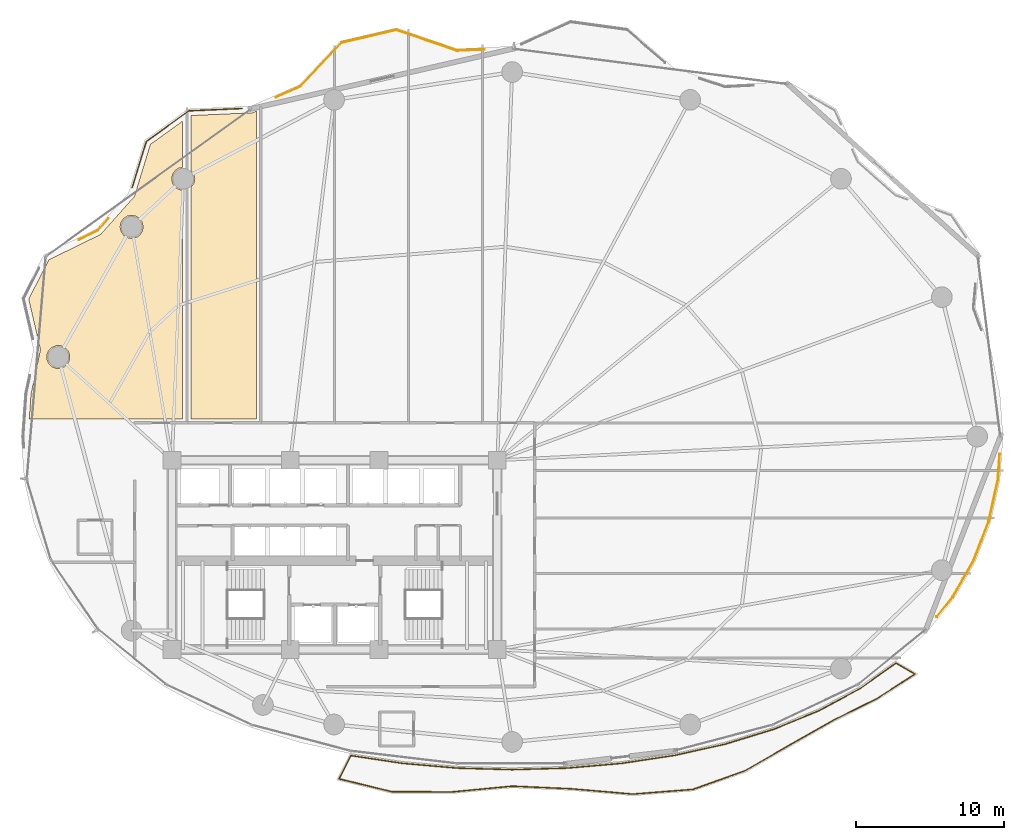
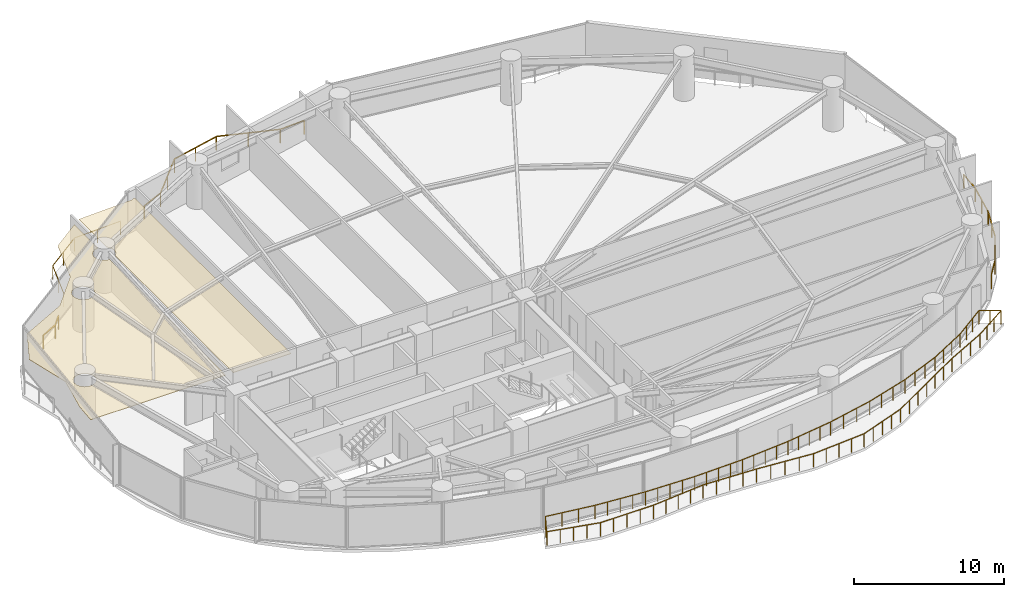
# One storey, part 29 of 30: 5 railings, 2 coverings.
"""IFC4 building model written with IfcOpenShell, lengths in metres."""

from ifc_helpers import new_model, si_unit, direction, frame, origin, origin_2d, place, context, subcontext, project, spatial, polyline, rectangle, outline, extrude, material, layer, layer_set, type_object, element, save


model = new_model("IFC4")

# Units and contexts
model_context = context("Model", 3, precision=1e-05, world=origin(), true_north=direction((0.0, 1.0)))
body_context = subcontext(model_context, "Body", "Model", "MODEL_VIEW")
ifc_project = project(units=[si_unit("LENGTHUNIT", "METRE"), si_unit("AREAUNIT", "SQUARE_METRE"), si_unit("VOLUMEUNIT", "CUBIC_METRE"), si_unit("PLANEANGLEUNIT", "RADIAN"), si_unit("MASSUNIT", "GRAM", prefix="KILO")], contexts=[model_context])

# Site, building, storey
site_placement = place(None, origin())
site = spatial("IfcSite", under=ifc_project, at=site_placement, CompositionType="ELEMENT")
building_placement = place(site_placement, origin())
building = spatial("IfcBuilding", under=site, at=building_placement, Name="Kazevale Care Tower and Concert Hall", CompositionType="ELEMENT")
storey_placement = place(building_placement, frame((0.0, 0.0, 74.39990234375)))
storey = spatial("IfcBuildingStorey", under=building, at=storey_placement, Name="L19", CompositionType="ELEMENT", Elevation=74.39990234375)

# Coverings
ifc_material_1 = material(Name="Acoustic Plaster and Hinoki Wood", Category="wood")
ifc_layer = layer(ifc_material_1, 0.0400390625)
ifc_layer_set = layer_set([ifc_layer], Name="Acoustic Plaster and Hinoki Wood")
covering_type = type_object("IfcCoveringType", Name="Acoustic Perforated Wood-Gypsum Ceiling", PredefinedType="CEILING", material=ifc_layer_set)
covering_1_placement = place(storey_placement, frame((0.0, 0.0, 2.710205078125)))
element("IfcCovering", 1, at=covering_1_placement, inside=storey, type_object=covering_type, Name="clg:L19:1", PredefinedType="CEILING", context=body_context, shape_type="SweptSolid", body=[
    extrude(outline(polyline([(12.30908203125, 47.302978515625), (13.669921875, 49.955078125), (17.172119140625, 51.672119140625), (19.452880859375, 54.22900390625), (20.5400390625, 57.763916015625), (22.719970703125, 59.3349609375), (22.719970703125, 56.2060546875), (22.4619140625, 56.15087890625), (22.2080078125, 55.98193359375), (22.0390625, 55.72802734375), (21.97998046875, 55.429931640625), (22.0390625, 55.132080078125), (22.2080078125, 54.8779296875), (22.4619140625, 54.708984375), (22.719970703125, 54.654052734375), (22.719970703125, 39.205078125), (12.345947265625, 39.205078125), (12.465087890625, 40.89111328125), (13.10400390625, 43.87890625), (12.30908203125, 47.302978515625)]), holes=[polyline([(19.990966796875, 52.47802734375), (19.822021484375, 52.73193359375), (19.568115234375, 52.90087890625), (19.27001953125, 52.9599609375), (18.971923828125, 52.90087890625), (18.718017578125, 52.73193359375), (18.549072265625, 52.47802734375), (18.489990234375, 52.179931640625), (18.549072265625, 51.882080078125), (18.718017578125, 51.6279296875), (18.971923828125, 51.458984375), (19.27001953125, 51.39990234375), (19.568115234375, 51.458984375), (19.822021484375, 51.6279296875), (19.990966796875, 51.882080078125), (20.050048828125, 52.179931640625), (19.990966796875, 52.47802734375)]), polyline([(15.074951171875, 43.531982421875), (14.958984375, 43.81298828125), (14.742919921875, 44.029052734375), (14.4619140625, 44.14501953125), (14.157958984375, 44.14501953125), (13.876953125, 44.029052734375), (13.660888671875, 43.81298828125), (13.544921875, 43.531982421875), (13.544921875, 43.22802734375), (13.660888671875, 42.947021484375), (13.876953125, 42.73095703125), (14.157958984375, 42.614990234375), (14.4619140625, 42.614990234375), (14.742919921875, 42.73095703125), (14.958984375, 42.947021484375), (15.074951171875, 43.22802734375), (15.074951171875, 43.531982421875)])]), origin(), (0.0, 0.0, 1.0), 0.039794921875),
])
covering_2_placement = place(storey_placement, frame((0.0, 0.0, 2.710205078125)))
element("IfcCovering", 2, at=covering_2_placement, inside=storey, type_object=covering_type, Name="clg:L19:2", PredefinedType="CEILING", context=body_context, shape_type="SweptSolid", body=[
    extrude(outline(polyline([(27.443115234375, 59.89794921875), (27.719970703125, 60.02001953125), (27.719970703125, 39.205078125), (23.280029296875, 39.205078125), (23.280029296875, 54.85302734375), (23.48095703125, 55.132080078125), (23.5400390625, 55.429931640625), (23.48095703125, 55.72802734375), (23.280029296875, 56.007080078125), (23.280029296875, 59.712890625), (27.443115234375, 59.89794921875)])), origin(), (0.0, 0.0, 1.0), 0.039794921875),
])

# Railings
ifc_material_2 = material(Name="Anodised Bronze Aluminium and Laminated Glass", Category="aluminium")
railing_type = type_object("IfcRailingType", Name="Balcony and Terrace Balustrade 1120", PredefinedType="BALUSTRADE", material=ifc_material_2)
railing_1_placement = place(storey_placement, frame((15.705078125, 51.30908203125, 0.0)))
element("IfcRailing", 3, at=railing_1_placement, inside=storey, type_object=railing_type, Name="rail:L19:perim:3", PredefinedType="BALUSTRADE", context=body_context, shape_type="SweptSolid", body=[
    extrude(rectangle(XDim=0.048095703125, YDim=0.048095703125, at=origin_2d()), frame((0.0, 0.0, 1.09619140625), z_axis=(0.897852496852, 0.440296370525, 0.0), x_axis=(-0.440296370525, 0.897852496852, 0.0)), (0.0, 0.0, 1.0), 1.41455078125),
    extrude(rectangle(XDim=0.048095703125, YDim=0.048095703125, at=origin_2d()), frame((1.27001953125, 0.622802734375, 1.09619140625), z_axis=(0.66593553458, 0.746009292022, 0.0), x_axis=(-0.746009292022, 0.66593553458, 0.0)), (0.0, 0.0, 1.0), 1.08837890625),
    extrude(rectangle(XDim=0.0419921875, YDim=0.0419921875, at=origin_2d()), origin(), (0.0, 0.0, 1.0), 1.072021484375),
    extrude(rectangle(XDim=0.0419921875, YDim=0.0419921875, at=origin_2d()), frame((1.27001953125, 0.622802734375, 0.0)), (0.0, 0.0, 1.0), 1.072021484375),
    extrude(rectangle(XDim=0.0419921875, YDim=0.0419921875, at=origin_2d()), frame((1.994873046875, 1.434814453125, 0.0)), (0.0, 0.0, 1.0), 1.072021484375),
])
railing_2_placement = place(storey_placement, frame((19.304931640625, 54.8349609375, 0.0)))
element("IfcRailing", 4, at=railing_2_placement, inside=storey, type_object=railing_type, Name="rail:L19:perim:4", PredefinedType="BALUSTRADE", context=body_context, shape_type="SweptSolid", body=[
    extrude(rectangle(XDim=0.048095703125, YDim=0.048095703125, at=origin_2d()), frame((0.0, 0.0, 1.09619140625), z_axis=(0.293644998859, 0.955914543589, 0.0), x_axis=(-0.955914543589, 0.293644998859, 0.0)), (0.0, 0.0, 1.0), 3.26904296875),
    extrude(rectangle(XDim=0.048095703125, YDim=0.048095703125, at=origin_2d()), frame((0.9599609375, 3.125, 1.09619140625), z_axis=(0.811163424766, 0.584819543383, 0.0), x_axis=(-0.584819543383, 0.811163424766, 0.0)), (0.0, 0.0, 1.0), 3.53466796875),
    extrude(rectangle(XDim=0.048095703125, YDim=0.048095703125, at=origin_2d()), frame((3.8271484375, 5.192138671875, 1.09619140625), z_axis=(0.999021313823, 0.044231374919, 0.0), x_axis=(-0.044231374919, 0.999021313823, 0.0)), (0.0, 0.0, 1.0), 3.615234375),
    extrude(rectangle(XDim=0.0419921875, YDim=0.0419921875, at=origin_2d()), origin(), (0.0, 0.0, 1.0), 1.072021484375),
    extrude(rectangle(XDim=0.0419921875, YDim=0.0419921875, at=origin_2d()), frame((0.47998046875, 1.5625, 0.0)), (0.0, 0.0, 1.0), 1.072021484375),
    extrude(rectangle(XDim=0.0419921875, YDim=0.0419921875, at=origin_2d()), frame((0.9599609375, 3.125, 0.0)), (0.0, 0.0, 1.0), 1.072021484375),
    extrude(rectangle(XDim=0.0419921875, YDim=0.0419921875, at=origin_2d()), frame((2.3935546875, 4.15869140625, 0.0)), (0.0, 0.0, 1.0), 1.072021484375),
    extrude(rectangle(XDim=0.0419921875, YDim=0.0419921875, at=origin_2d()), frame((3.8271484375, 5.192138671875, 0.0)), (0.0, 0.0, 1.0), 1.072021484375),
    extrude(rectangle(XDim=0.0419921875, YDim=0.0419921875, at=origin_2d()), frame((5.633056640625, 5.27197265625, 0.0)), (0.0, 0.0, 1.0), 1.072021484375),
    extrude(rectangle(XDim=0.0419921875, YDim=0.0419921875, at=origin_2d()), frame((7.43896484375, 5.35205078125, 0.0)), (0.0, 0.0, 1.0), 1.072021484375),
])
railing_3_placement = place(storey_placement, frame((29.02294921875, 60.94189453125, 0.0)))
element("IfcRailing", 5, at=railing_3_placement, inside=storey, type_object=railing_type, Name="rail:L19:perim:5", PredefinedType="BALUSTRADE", context=body_context, shape_type="SweptSolid", body=[
    extrude(rectangle(XDim=0.048095703125, YDim=0.048095703125, at=origin_2d()), frame((0.0, 0.0, 1.09619140625), z_axis=(0.915551857472, 0.402199945649, 0.0), x_axis=(-0.402199945649, 0.915551857472, 0.0)), (0.0, 0.0, 1.0), 1.8076171875),
    extrude(rectangle(XDim=0.048095703125, YDim=0.048095703125, at=origin_2d()), frame((1.655029296875, 0.72705078125, 1.09619140625), z_axis=(0.685012615357, 0.728531205098, 0.0), x_axis=(-0.728531205098, 0.685012615357, 0.0)), (0.0, 0.0, 1.0), 4.0673828125),
    extrude(rectangle(XDim=0.048095703125, YDim=0.048095703125, at=origin_2d()), frame((4.441162109375, 3.690185546875, 1.09619140625), z_axis=(0.974021191549, 0.226456879811, 0.0), x_axis=(-0.226456879811, 0.974021191549, 0.0)), (0.0, 0.0, 1.0), 3.8056640625),
    extrude(rectangle(XDim=0.048095703125, YDim=0.048095703125, at=origin_2d()), frame((8.14794921875, 4.552001953125, 1.09619140625), z_axis=(0.946095269319, -0.323888470578, 0.0), x_axis=(0.323888470578, 0.946095269319, 0.0)), (0.0, 0.0, 1.0), 4.3251953125),
    extrude(rectangle(XDim=0.048095703125, YDim=0.048095703125, at=origin_2d()), frame((12.239990234375, 3.151123046875, 1.09619140625), z_axis=(0.999004839939, 0.044601903302, 0.0), x_axis=(-0.044601903302, 0.999004839939, 0.0)), (0.0, 0.0, 1.0), 1.883056640625),
    extrude(rectangle(XDim=0.0419921875, YDim=0.0419921875, at=origin_2d()), origin(), (0.0, 0.0, 1.0), 1.072021484375),
    extrude(rectangle(XDim=0.0419921875, YDim=0.0419921875, at=origin_2d()), frame((1.655029296875, 0.72705078125, 0.0)), (0.0, 0.0, 1.0), 1.072021484375),
    extrude(rectangle(XDim=0.0419921875, YDim=0.0419921875, at=origin_2d()), frame((3.048095703125, 2.20849609375, 0.0)), (0.0, 0.0, 1.0), 1.072021484375),
    extrude(rectangle(XDim=0.0419921875, YDim=0.0419921875, at=origin_2d()), frame((4.441162109375, 3.690185546875, 0.0)), (0.0, 0.0, 1.0), 1.072021484375),
    extrude(rectangle(XDim=0.0419921875, YDim=0.0419921875, at=origin_2d()), frame((6.29443359375, 4.12109375, 0.0)), (0.0, 0.0, 1.0), 1.072021484375),
    extrude(rectangle(XDim=0.0419921875, YDim=0.0419921875, at=origin_2d()), frame((8.14794921875, 4.552001953125, 0.0)), (0.0, 0.0, 1.0), 1.072021484375),
    extrude(rectangle(XDim=0.0419921875, YDim=0.0419921875, at=origin_2d()), frame((10.19384765625, 3.8515625, 0.0)), (0.0, 0.0, 1.0), 1.072021484375),
    extrude(rectangle(XDim=0.0419921875, YDim=0.0419921875, at=origin_2d()), frame((12.239990234375, 3.151123046875, 0.0)), (0.0, 0.0, 1.0), 1.072021484375),
    extrude(rectangle(XDim=0.0419921875, YDim=0.0419921875, at=origin_2d()), frame((14.12109375, 3.235107421875, 0.0)), (0.0, 0.0, 1.0), 1.072021484375),
])
railing_4_placement = place(storey_placement, frame((77.97705078125, 36.833984375, 0.0)))
element("IfcRailing", 6, at=railing_4_placement, inside=storey, type_object=railing_type, Name="rail:L19:perim:11", PredefinedType="BALUSTRADE", context=body_context, shape_type="SweptSolid", body=[
    extrude(rectangle(XDim=0.048095703125, YDim=0.048095703125, at=origin_2d()), frame((0.0, 0.0, 1.09619140625), z_axis=(-0.071286628485, -0.997455872006, 0.0), x_axis=(0.997455872006, -0.071286628485, 0.0)), (0.0, 0.0, 1.0), 1.75341796875),
    extrude(rectangle(XDim=0.048095703125, YDim=0.048095703125, at=origin_2d()), frame((-0.125, -1.7490234375, 1.09619140625), z_axis=(-0.215098010705, -0.976592466585, 0.0), x_axis=(0.976592466585, -0.215098010705, 0.0)), (0.0, 0.0, 1.0), 2.87841796875),
    extrude(rectangle(XDim=0.048095703125, YDim=0.048095703125, at=origin_2d()), frame((-0.744140625, -4.56005859375, 1.09619140625), z_axis=(-0.359784505971, -0.933035427657, 0.0), x_axis=(0.933035427657, -0.359784505971, 0.0)), (0.0, 0.0, 1.0), 2.84326171875),
    extrude(rectangle(XDim=0.048095703125, YDim=0.048095703125, at=origin_2d()), frame((-1.76708984375, -7.212890625, 1.09619140625), z_axis=(-0.498807638719, -0.866712720315, 0.0), x_axis=(0.866712720315, -0.498807638719, 0.0)), (0.0, 0.0, 1.0), 2.8349609375),
    extrude(rectangle(XDim=0.048095703125, YDim=0.048095703125, at=origin_2d()), frame((-3.18115234375, -9.669921875, 1.09619140625), z_axis=(-0.624746863437, -0.780827353917, 0.0), x_axis=(0.780827353917, -0.624746863437, 0.0)), (0.0, 0.0, 1.0), 1.7236328125),
    extrude(rectangle(XDim=0.0419921875, YDim=0.0419921875, at=origin_2d()), origin(), (0.0, 0.0, 1.0), 1.072021484375),
    extrude(rectangle(XDim=0.0419921875, YDim=0.0419921875, at=origin_2d()), frame((-0.125, -1.7490234375, 0.0)), (0.0, 0.0, 1.0), 1.072021484375),
    extrude(rectangle(XDim=0.0419921875, YDim=0.0419921875, at=origin_2d()), frame((-0.4345703125, -3.154541015625, 0.0)), (0.0, 0.0, 1.0), 1.072021484375),
    extrude(rectangle(XDim=0.0419921875, YDim=0.0419921875, at=origin_2d()), frame((-0.744140625, -4.56005859375, 0.0)), (0.0, 0.0, 1.0), 1.072021484375),
    extrude(rectangle(XDim=0.0419921875, YDim=0.0419921875, at=origin_2d()), frame((-1.255615234375, -5.886474609375, 0.0)), (0.0, 0.0, 1.0), 1.072021484375),
    extrude(rectangle(XDim=0.0419921875, YDim=0.0419921875, at=origin_2d()), frame((-1.76708984375, -7.212890625, 0.0)), (0.0, 0.0, 1.0), 1.072021484375),
    extrude(rectangle(XDim=0.0419921875, YDim=0.0419921875, at=origin_2d()), frame((-2.47412109375, -8.44140625, 0.0)), (0.0, 0.0, 1.0), 1.072021484375),
    extrude(rectangle(XDim=0.0419921875, YDim=0.0419921875, at=origin_2d()), frame((-3.18115234375, -9.669921875, 0.0)), (0.0, 0.0, 1.0), 1.072021484375),
    extrude(rectangle(XDim=0.0419921875, YDim=0.0419921875, at=origin_2d()), frame((-4.258056640625, -11.015869140625, 0.0)), (0.0, 0.0, 1.0), 1.072021484375),
])
railing_5_placement = place(storey_placement, frame((34.10009765625, 16.427978515625, 0.0)))
element("IfcRailing", 7, at=railing_5_placement, inside=storey, type_object=railing_type, Name="rail:L19:balcony", PredefinedType="BALUSTRADE", context=body_context, shape_type="SweptSolid", body=[
    extrude(rectangle(XDim=0.048095703125, YDim=0.048095703125, at=origin_2d()), frame((0.0, 0.0, 1.09619140625), z_axis=(0.988835380671, -0.149012046267, 0.0), x_axis=(0.149012046267, 0.988835380671, 0.0)), (0.0, 0.0, 1.0), 3.537353515625),
    extrude(rectangle(XDim=0.048095703125, YDim=0.048095703125, at=origin_2d()), frame((3.497802734375, -0.527099609375, 1.09619140625), z_axis=(0.996240588196, -0.086629616365, 0.0), x_axis=(0.086629616365, 0.996240588196, 0.0)), (0.0, 0.0, 1.0), 3.69189453125),
    extrude(rectangle(XDim=0.048095703125, YDim=0.048095703125, at=origin_2d()), frame((7.17578125, -0.846923828125, 1.09619140625), z_axis=(0.999595500109, -0.02844004504, 0.0), x_axis=(0.02844004504, 0.999595500109, 0.0)), (0.0, 0.0, 1.0), 3.7255859375),
    extrude(rectangle(XDim=0.048095703125, YDim=0.048095703125, at=origin_2d()), frame((10.89990234375, -0.952880859375, 1.09619140625), z_axis=(0.999595500109, 0.02844004504, 0.0), x_axis=(-0.02844004504, 0.999595500109, 0.0)), (0.0, 0.0, 1.0), 3.7255859375),
    extrude(rectangle(XDim=0.048095703125, YDim=0.048095703125, at=origin_2d()), frame((14.6240234375, -0.846923828125, 1.09619140625), z_axis=(0.996240588196, 0.086629616365, 0.0), x_axis=(-0.086629616365, 0.996240588196, 0.0)), (0.0, 0.0, 1.0), 3.69189453125),
    extrude(rectangle(XDim=0.048095703125, YDim=0.048095703125, at=origin_2d()), frame((18.302001953125, -0.527099609375, 1.09619140625), z_axis=(0.988849271471, 0.148919838541, 0.0), x_axis=(-0.148919838541, 0.988849271471, 0.0)), (0.0, 0.0, 1.0), 3.62646484375),
    extrude(rectangle(XDim=0.048095703125, YDim=0.048095703125, at=origin_2d()), frame((21.887939453125, 0.012939453125, 1.09619140625), z_axis=(0.976148024322, 0.217106044625, 0.0), x_axis=(-0.217106044625, 0.976148024322, 0.0)), (0.0, 0.0, 1.0), 3.533203125),
    extrude(rectangle(XDim=0.048095703125, YDim=0.048095703125, at=origin_2d()), frame((25.3369140625, 0.780029296875, 1.09619140625), z_axis=(0.95593940193, 0.293564064282, 0.0), x_axis=(-0.293564064282, 0.95593940193, 0.0)), (0.0, 0.0, 1.0), 3.419677734375),
    extrude(rectangle(XDim=0.048095703125, YDim=0.048095703125, at=origin_2d()), frame((28.60595703125, 1.783935546875, 1.09619140625), z_axis=(0.925168618375, 0.379556356256, 0.0), x_axis=(-0.379556356256, 0.925168618375, 0.0)), (0.0, 0.0, 1.0), 3.293212890625),
    extrude(rectangle(XDim=0.048095703125, YDim=0.048095703125, at=origin_2d()), frame((31.65283203125, 3.033935546875, 1.09619140625), z_axis=(0.880032904554, 0.474912715036, 0.0), x_axis=(-0.474912715036, 0.880032904554, 0.0)), (0.0, 0.0, 1.0), 3.169189453125),
    extrude(rectangle(XDim=0.048095703125, YDim=0.048095703125, at=origin_2d()), frame((34.44189453125, 4.5390625, 1.09619140625), z_axis=(0.816594193991, 0.577212198711, 0.0), x_axis=(-0.577212198711, 0.816594193991, 0.0)), (0.0, 0.0, 1.0), 2.970947265625),
    extrude(rectangle(XDim=0.048095703125, YDim=0.048095703125, at=origin_2d()), frame((36.867919921875, 6.25390625, 1.09619140625), z_axis=(0.863382249034, -0.504550386039, 0.0), x_axis=(0.504550386039, 0.863382249034, 0.0)), (0.0, 0.0, 1.0), 1.474365234375),
    extrude(rectangle(XDim=0.048095703125, YDim=0.048095703125, at=origin_2d()), frame((38.140869140625, 5.510009765625, 1.09619140625), z_axis=(-0.840828881271, -0.541301018308, 0.0), x_axis=(0.541301018308, -0.840828881271, 0.0)), (0.0, 0.0, 1.0), 3.064697265625),
    extrude(rectangle(XDim=0.048095703125, YDim=0.048095703125, at=origin_2d()), frame((35.56396484375, 3.85107421875, 1.09619140625), z_axis=(-0.895369297286, -0.445324400272, 0.0), x_axis=(0.445324400272, -0.895369297286, 0.0)), (0.0, 0.0, 1.0), 3.36181640625),
    extrude(rectangle(XDim=0.048095703125, YDim=0.048095703125, at=origin_2d()), frame((32.553955078125, 2.35400390625, 1.09619140625), z_axis=(-0.869173088832, -0.494507979359, 0.0), x_axis=(0.494507979359, -0.869173088832, 0.0)), (0.0, 0.0, 1.0), 3.322509765625),
    extrude(rectangle(XDim=0.048095703125, YDim=0.048095703125, at=origin_2d()), frame((29.666015625, 0.7109375, 1.09619140625), z_axis=(-0.866265434748, -0.499584023525, 0.0), x_axis=(0.499584023525, -0.866265434748, 0.0)), (0.0, 0.0, 1.0), 3.4609375),
    extrude(rectangle(XDim=0.048095703125, YDim=0.048095703125, at=origin_2d()), frame((26.66796875, -1.01806640625, 1.09619140625), z_axis=(-0.941389343825, -0.337321957975, 0.0), x_axis=(0.337321957975, -0.941389343825, 0.0)), (0.0, 0.0, 1.0), 3.749755859375),
    extrude(rectangle(XDim=0.048095703125, YDim=0.048095703125, at=origin_2d()), frame((23.137939453125, -2.282958984375, 1.09619140625), z_axis=(-0.996883188028, -0.078891757665, 0.0), x_axis=(0.078891757665, -0.996883188028, 0.0)), (0.0, 0.0, 1.0), 4.081787109375),
    extrude(rectangle(XDim=0.048095703125, YDim=0.048095703125, at=origin_2d()), frame((19.06884765625, -2.60498046875, 1.09619140625), z_axis=(-0.996316807757, 0.085748577717, 0.0), x_axis=(-0.085748577717, -0.996316807757, 0.0)), (0.0, 0.0, 1.0), 4.185302734375),
    extrude(rectangle(XDim=0.048095703125, YDim=0.048095703125, at=origin_2d()), frame((14.89892578125, -2.24609375, 1.09619140625), z_axis=(-0.998998973115, 0.044733116537, 0.0), x_axis=(-0.044733116537, -0.998998973115, 0.0)), (0.0, 0.0, 1.0), 4.005859375),
    extrude(rectangle(XDim=0.048095703125, YDim=0.048095703125, at=origin_2d()), frame((10.89697265625, -2.06689453125, 1.09619140625), z_axis=(-0.995390777072, -0.095902038147, 0.0), x_axis=(0.095902038147, -0.995390777072, 0.0)), (0.0, 0.0, 1.0), 4.047607421875),
    extrude(rectangle(XDim=0.048095703125, YDim=0.048095703125, at=origin_2d()), frame((6.867919921875, -2.455078125, 1.09619140625), z_axis=(-0.999998486264, 0.001739962567, 0.0), x_axis=(-0.001739962567, -0.999998486264, 0.0)), (0.0, 0.0, 1.0), 4.069091796875),
    extrude(rectangle(XDim=0.048095703125, YDim=0.048095703125, at=origin_2d()), frame((2.798828125, -2.447998046875, 1.09619140625), z_axis=(-0.971694569304, 0.236240690789, 0.0), x_axis=(-0.236240690789, -0.971694569304, 0.0)), (0.0, 0.0, 1.0), 3.7080078125),
    extrude(rectangle(XDim=0.048095703125, YDim=0.048095703125, at=origin_2d()), frame((-0.80419921875, -1.572021484375, 1.09619140625), z_axis=(0.455435030473, 0.890269022834, 0.0), x_axis=(-0.890269022834, 0.455435030473, 0.0)), (0.0, 0.0, 1.0), 1.765869140625),
    extrude(rectangle(XDim=0.0419921875, YDim=0.0419921875, at=origin_2d()), origin(), (0.0, 0.0, 1.0), 1.072021484375),
    extrude(rectangle(XDim=0.0419921875, YDim=0.0419921875, at=origin_2d()), frame((1.166015625, -0.17578125, 0.0)), (0.0, 0.0, 1.0), 1.072021484375),
    extrude(rectangle(XDim=0.0419921875, YDim=0.0419921875, at=origin_2d()), frame((2.331787109375, -0.351318359375, 0.0)), (0.0, 0.0, 1.0), 1.072021484375),
    extrude(rectangle(XDim=0.0419921875, YDim=0.0419921875, at=origin_2d()), frame((3.497802734375, -0.527099609375, 0.0)), (0.0, 0.0, 1.0), 1.072021484375),
    extrude(rectangle(XDim=0.0419921875, YDim=0.0419921875, at=origin_2d()), frame((4.417236328125, -0.60693359375, 0.0)), (0.0, 0.0, 1.0), 1.072021484375),
    extrude(rectangle(XDim=0.0419921875, YDim=0.0419921875, at=origin_2d()), frame((5.3369140625, -0.68701171875, 0.0)), (0.0, 0.0, 1.0), 1.072021484375),
    extrude(rectangle(XDim=0.0419921875, YDim=0.0419921875, at=origin_2d()), frame((6.25634765625, -0.76708984375, 0.0)), (0.0, 0.0, 1.0), 1.072021484375),
    extrude(rectangle(XDim=0.0419921875, YDim=0.0419921875, at=origin_2d()), frame((7.17578125, -0.846923828125, 0.0)), (0.0, 0.0, 1.0), 1.072021484375),
    extrude(rectangle(XDim=0.0419921875, YDim=0.0419921875, at=origin_2d()), frame((8.10693359375, -0.87353515625, 0.0)), (0.0, 0.0, 1.0), 1.072021484375),
    extrude(rectangle(XDim=0.0419921875, YDim=0.0419921875, at=origin_2d()), frame((9.037841796875, -0.89990234375, 0.0)), (0.0, 0.0, 1.0), 1.072021484375),
    extrude(rectangle(XDim=0.0419921875, YDim=0.0419921875, at=origin_2d()), frame((9.96875, -0.92626953125, 0.0)), (0.0, 0.0, 1.0), 1.072021484375),
    extrude(rectangle(XDim=0.0419921875, YDim=0.0419921875, at=origin_2d()), frame((10.89990234375, -0.952880859375, 0.0)), (0.0, 0.0, 1.0), 1.072021484375),
    extrude(rectangle(XDim=0.0419921875, YDim=0.0419921875, at=origin_2d()), frame((11.8310546875, -0.92626953125, 0.0)), (0.0, 0.0, 1.0), 1.072021484375),
    extrude(rectangle(XDim=0.0419921875, YDim=0.0419921875, at=origin_2d()), frame((12.761962890625, -0.89990234375, 0.0)), (0.0, 0.0, 1.0), 1.072021484375),
    extrude(rectangle(XDim=0.0419921875, YDim=0.0419921875, at=origin_2d()), frame((13.69287109375, -0.87353515625, 0.0)), (0.0, 0.0, 1.0), 1.072021484375),
    extrude(rectangle(XDim=0.0419921875, YDim=0.0419921875, at=origin_2d()), frame((14.6240234375, -0.846923828125, 0.0)), (0.0, 0.0, 1.0), 1.072021484375),
    extrude(rectangle(XDim=0.0419921875, YDim=0.0419921875, at=origin_2d()), frame((15.54345703125, -0.76708984375, 0.0)), (0.0, 0.0, 1.0), 1.072021484375),
    extrude(rectangle(XDim=0.0419921875, YDim=0.0419921875, at=origin_2d()), frame((16.462890625, -0.68701171875, 0.0)), (0.0, 0.0, 1.0), 1.072021484375),
    extrude(rectangle(XDim=0.0419921875, YDim=0.0419921875, at=origin_2d()), frame((17.382568359375, -0.60693359375, 0.0)), (0.0, 0.0, 1.0), 1.072021484375),
    extrude(rectangle(XDim=0.0419921875, YDim=0.0419921875, at=origin_2d()), frame((18.302001953125, -0.527099609375, 0.0)), (0.0, 0.0, 1.0), 1.072021484375),
    extrude(rectangle(XDim=0.0419921875, YDim=0.0419921875, at=origin_2d()), frame((19.198486328125, -0.39208984375, 0.0)), (0.0, 0.0, 1.0), 1.072021484375),
    extrude(rectangle(XDim=0.0419921875, YDim=0.0419921875, at=origin_2d()), frame((20.094970703125, -0.257080078125, 0.0)), (0.0, 0.0, 1.0), 1.072021484375),
    extrude(rectangle(XDim=0.0419921875, YDim=0.0419921875, at=origin_2d()), frame((20.991455078125, -0.1220703125, 0.0)), (0.0, 0.0, 1.0), 1.072021484375),
    extrude(rectangle(XDim=0.0419921875, YDim=0.0419921875, at=origin_2d()), frame((21.887939453125, 0.012939453125, 0.0)), (0.0, 0.0, 1.0), 1.072021484375),
    extrude(rectangle(XDim=0.0419921875, YDim=0.0419921875, at=origin_2d()), frame((23.03759765625, 0.2685546875, 0.0)), (0.0, 0.0, 1.0), 1.072021484375),
    extrude(rectangle(XDim=0.0419921875, YDim=0.0419921875, at=origin_2d()), frame((24.187255859375, 0.5244140625, 0.0)), (0.0, 0.0, 1.0), 1.072021484375),
    extrude(rectangle(XDim=0.0419921875, YDim=0.0419921875, at=origin_2d()), frame((25.3369140625, 0.780029296875, 0.0)), (0.0, 0.0, 1.0), 1.072021484375),
    extrude(rectangle(XDim=0.0419921875, YDim=0.0419921875, at=origin_2d()), frame((26.426513671875, 1.11474609375, 0.0)), (0.0, 0.0, 1.0), 1.072021484375),
    extrude(rectangle(XDim=0.0419921875, YDim=0.0419921875, at=origin_2d()), frame((27.516357421875, 1.44921875, 0.0)), (0.0, 0.0, 1.0), 1.072021484375),
    extrude(rectangle(XDim=0.0419921875, YDim=0.0419921875, at=origin_2d()), frame((28.60595703125, 1.783935546875, 0.0)), (0.0, 0.0, 1.0), 1.072021484375),
    extrude(rectangle(XDim=0.0419921875, YDim=0.0419921875, at=origin_2d()), frame((29.62158203125, 2.20068359375, 0.0)), (0.0, 0.0, 1.0), 1.072021484375),
    extrude(rectangle(XDim=0.0419921875, YDim=0.0419921875, at=origin_2d()), frame((30.63720703125, 2.6171875, 0.0)), (0.0, 0.0, 1.0), 1.072021484375),
    extrude(rectangle(XDim=0.0419921875, YDim=0.0419921875, at=origin_2d()), frame((31.65283203125, 3.033935546875, 0.0)), (0.0, 0.0, 1.0), 1.072021484375),
    extrude(rectangle(XDim=0.0419921875, YDim=0.0419921875, at=origin_2d()), frame((32.58251953125, 3.53564453125, 0.0)), (0.0, 0.0, 1.0), 1.072021484375),
    extrude(rectangle(XDim=0.0419921875, YDim=0.0419921875, at=origin_2d()), frame((33.51220703125, 4.037353515625, 0.0)), (0.0, 0.0, 1.0), 1.072021484375),
    extrude(rectangle(XDim=0.0419921875, YDim=0.0419921875, at=origin_2d()), frame((34.44189453125, 4.5390625, 0.0)), (0.0, 0.0, 1.0), 1.072021484375),
    extrude(rectangle(XDim=0.0419921875, YDim=0.0419921875, at=origin_2d()), frame((35.25048828125, 5.110595703125, 0.0)), (0.0, 0.0, 1.0), 1.072021484375),
    extrude(rectangle(XDim=0.0419921875, YDim=0.0419921875, at=origin_2d()), frame((36.059326171875, 5.682373046875, 0.0)), (0.0, 0.0, 1.0), 1.072021484375),
    extrude(rectangle(XDim=0.0419921875, YDim=0.0419921875, at=origin_2d()), frame((36.867919921875, 6.25390625, 0.0)), (0.0, 0.0, 1.0), 1.072021484375),
    extrude(rectangle(XDim=0.0419921875, YDim=0.0419921875, at=origin_2d()), frame((37.50439453125, 5.8818359375, 0.0)), (0.0, 0.0, 1.0), 1.072021484375),
    extrude(rectangle(XDim=0.0419921875, YDim=0.0419921875, at=origin_2d()), frame((38.140869140625, 5.510009765625, 0.0)), (0.0, 0.0, 1.0), 1.072021484375),
    extrude(rectangle(XDim=0.0419921875, YDim=0.0419921875, at=origin_2d()), frame((37.281982421875, 4.95703125, 0.0)), (0.0, 0.0, 1.0), 1.072021484375),
    extrude(rectangle(XDim=0.0419921875, YDim=0.0419921875, at=origin_2d()), frame((36.4228515625, 4.404052734375, 0.0)), (0.0, 0.0, 1.0), 1.072021484375),
    extrude(rectangle(XDim=0.0419921875, YDim=0.0419921875, at=origin_2d()), frame((35.56396484375, 3.85107421875, 0.0)), (0.0, 0.0, 1.0), 1.072021484375),
    extrude(rectangle(XDim=0.0419921875, YDim=0.0419921875, at=origin_2d()), frame((34.560546875, 3.35205078125, 0.0)), (0.0, 0.0, 1.0), 1.072021484375),
    extrude(rectangle(XDim=0.0419921875, YDim=0.0419921875, at=origin_2d()), frame((33.557373046875, 2.85302734375, 0.0)), (0.0, 0.0, 1.0), 1.072021484375),
    extrude(rectangle(XDim=0.0419921875, YDim=0.0419921875, at=origin_2d()), frame((32.553955078125, 2.35400390625, 0.0)), (0.0, 0.0, 1.0), 1.072021484375),
    extrude(rectangle(XDim=0.0419921875, YDim=0.0419921875, at=origin_2d()), frame((31.59130859375, 1.806396484375, 0.0)), (0.0, 0.0, 1.0), 1.072021484375),
    extrude(rectangle(XDim=0.0419921875, YDim=0.0419921875, at=origin_2d()), frame((30.628662109375, 1.258544921875, 0.0)), (0.0, 0.0, 1.0), 1.072021484375),
    extrude(rectangle(XDim=0.0419921875, YDim=0.0419921875, at=origin_2d()), frame((29.666015625, 0.7109375, 0.0)), (0.0, 0.0, 1.0), 1.072021484375),
    extrude(rectangle(XDim=0.0419921875, YDim=0.0419921875, at=origin_2d()), frame((28.666748046875, 0.134521484375, 0.0)), (0.0, 0.0, 1.0), 1.072021484375),
    extrude(rectangle(XDim=0.0419921875, YDim=0.0419921875, at=origin_2d()), frame((27.667236328125, -0.441650390625, 0.0)), (0.0, 0.0, 1.0), 1.072021484375),
    extrude(rectangle(XDim=0.0419921875, YDim=0.0419921875, at=origin_2d()), frame((26.66796875, -1.01806640625, 0.0)), (0.0, 0.0, 1.0), 1.072021484375),
    extrude(rectangle(XDim=0.0419921875, YDim=0.0419921875, at=origin_2d()), frame((25.785400390625, -1.334228515625, 0.0)), (0.0, 0.0, 1.0), 1.072021484375),
    extrude(rectangle(XDim=0.0419921875, YDim=0.0419921875, at=origin_2d()), frame((24.90283203125, -1.650390625, 0.0)), (0.0, 0.0, 1.0), 1.072021484375),
    extrude(rectangle(XDim=0.0419921875, YDim=0.0419921875, at=origin_2d()), frame((24.0205078125, -1.966796875, 0.0)), (0.0, 0.0, 1.0), 1.072021484375),
    extrude(rectangle(XDim=0.0419921875, YDim=0.0419921875, at=origin_2d()), frame((23.137939453125, -2.282958984375, 0.0)), (0.0, 0.0, 1.0), 1.072021484375),
    extrude(rectangle(XDim=0.0419921875, YDim=0.0419921875, at=origin_2d()), frame((22.12060546875, -2.363525390625, 0.0)), (0.0, 0.0, 1.0), 1.072021484375),
    extrude(rectangle(XDim=0.0419921875, YDim=0.0419921875, at=origin_2d()), frame((21.103515625, -2.44384765625, 0.0)), (0.0, 0.0, 1.0), 1.072021484375),
    extrude(rectangle(XDim=0.0419921875, YDim=0.0419921875, at=origin_2d()), frame((20.086181640625, -2.5244140625, 0.0)), (0.0, 0.0, 1.0), 1.072021484375),
    extrude(rectangle(XDim=0.0419921875, YDim=0.0419921875, at=origin_2d()), frame((19.06884765625, -2.60498046875, 0.0)), (0.0, 0.0, 1.0), 1.072021484375),
    extrude(rectangle(XDim=0.0419921875, YDim=0.0419921875, at=origin_2d()), frame((18.0263671875, -2.51513671875, 0.0)), (0.0, 0.0, 1.0), 1.072021484375),
    extrude(rectangle(XDim=0.0419921875, YDim=0.0419921875, at=origin_2d()), frame((16.98388671875, -2.425537109375, 0.0)), (0.0, 0.0, 1.0), 1.072021484375),
    extrude(rectangle(XDim=0.0419921875, YDim=0.0419921875, at=origin_2d()), frame((15.94140625, -2.3359375, 0.0)), (0.0, 0.0, 1.0), 1.072021484375),
    extrude(rectangle(XDim=0.0419921875, YDim=0.0419921875, at=origin_2d()), frame((14.89892578125, -2.24609375, 0.0)), (0.0, 0.0, 1.0), 1.072021484375),
    extrude(rectangle(XDim=0.0419921875, YDim=0.0419921875, at=origin_2d()), frame((13.8984375, -2.201171875, 0.0)), (0.0, 0.0, 1.0), 1.072021484375),
    extrude(rectangle(XDim=0.0419921875, YDim=0.0419921875, at=origin_2d()), frame((12.89794921875, -2.156494140625, 0.0)), (0.0, 0.0, 1.0), 1.072021484375),
    extrude(rectangle(XDim=0.0419921875, YDim=0.0419921875, at=origin_2d()), frame((11.8974609375, -2.11181640625, 0.0)), (0.0, 0.0, 1.0), 1.072021484375),
    extrude(rectangle(XDim=0.0419921875, YDim=0.0419921875, at=origin_2d()), frame((10.89697265625, -2.06689453125, 0.0)), (0.0, 0.0, 1.0), 1.072021484375),
    extrude(rectangle(XDim=0.0419921875, YDim=0.0419921875, at=origin_2d()), frame((9.8896484375, -2.1640625, 0.0)), (0.0, 0.0, 1.0), 1.072021484375),
    extrude(rectangle(XDim=0.0419921875, YDim=0.0419921875, at=origin_2d()), frame((8.88232421875, -2.260986328125, 0.0)), (0.0, 0.0, 1.0), 1.072021484375),
    extrude(rectangle(XDim=0.0419921875, YDim=0.0419921875, at=origin_2d()), frame((7.875244140625, -2.35791015625, 0.0)), (0.0, 0.0, 1.0), 1.072021484375),
    extrude(rectangle(XDim=0.0419921875, YDim=0.0419921875, at=origin_2d()), frame((6.867919921875, -2.455078125, 0.0)), (0.0, 0.0, 1.0), 1.072021484375),
    extrude(rectangle(XDim=0.0419921875, YDim=0.0419921875, at=origin_2d()), frame((5.8505859375, -2.453369140625, 0.0)), (0.0, 0.0, 1.0), 1.072021484375),
    extrude(rectangle(XDim=0.0419921875, YDim=0.0419921875, at=origin_2d()), frame((4.83349609375, -2.45166015625, 0.0)), (0.0, 0.0, 1.0), 1.072021484375),
    extrude(rectangle(XDim=0.0419921875, YDim=0.0419921875, at=origin_2d()), frame((3.816162109375, -2.44970703125, 0.0)), (0.0, 0.0, 1.0), 1.072021484375),
    extrude(rectangle(XDim=0.0419921875, YDim=0.0419921875, at=origin_2d()), frame((2.798828125, -2.447998046875, 0.0)), (0.0, 0.0, 1.0), 1.072021484375),
    extrude(rectangle(XDim=0.0419921875, YDim=0.0419921875, at=origin_2d()), frame((1.89794921875, -2.22900390625, 0.0)), (0.0, 0.0, 1.0), 1.072021484375),
    extrude(rectangle(XDim=0.0419921875, YDim=0.0419921875, at=origin_2d()), frame((0.997314453125, -2.010009765625, 0.0)), (0.0, 0.0, 1.0), 1.072021484375),
    extrude(rectangle(XDim=0.0419921875, YDim=0.0419921875, at=origin_2d()), frame((0.0966796875, -1.791015625, 0.0)), (0.0, 0.0, 1.0), 1.072021484375),
    extrude(rectangle(XDim=0.0419921875, YDim=0.0419921875, at=origin_2d()), frame((-0.80419921875, -1.572021484375, 0.0)), (0.0, 0.0, 1.0), 1.072021484375),
    extrude(rectangle(XDim=0.0419921875, YDim=0.0419921875, at=origin_2d()), frame((-0.402099609375, -0.7861328125, 0.0)), (0.0, 0.0, 1.0), 1.072021484375),
])

save(model, "model.ifc")
